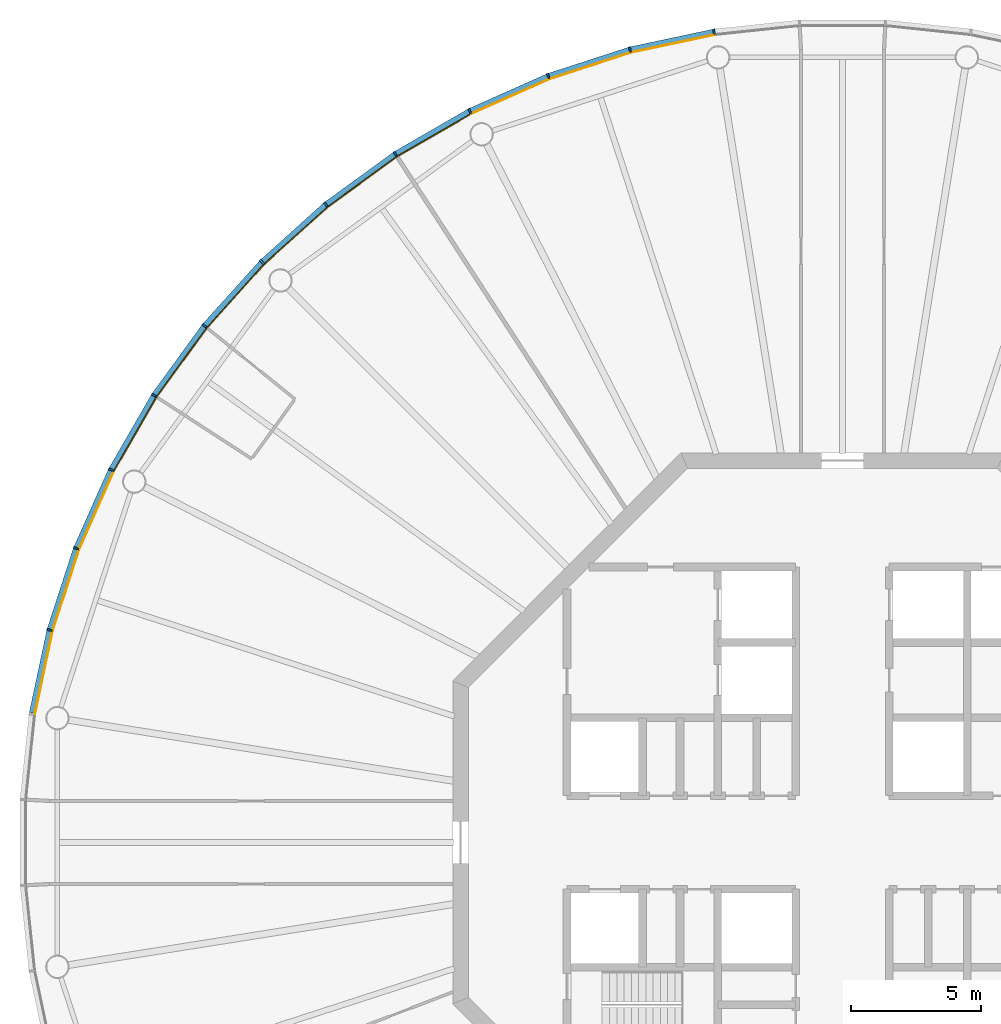
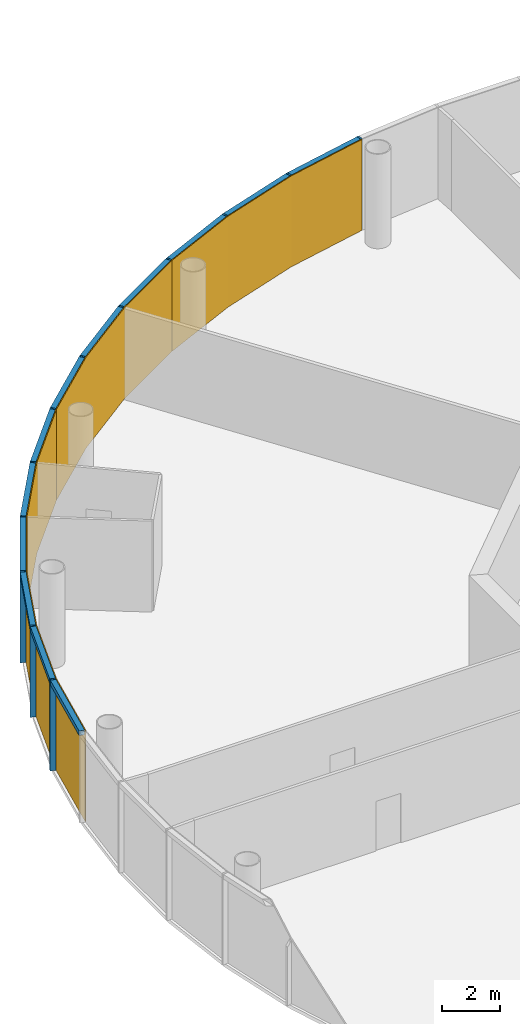
# One storey, part 10 of 13: 24 members, 4 curtain walls.
"""IFC4 building model written with IfcOpenShell, lengths in metres."""

import ifcopenshell
import ifcopenshell.guid

model = None  # the IFC model being written
_history = None  # IfcOwnerHistory: only IFC2X3 demands one
_inside = {}  # id of a spatial element -> (the spatial element, [elements in it])
_under = {}  # id of a project, library or spatial element -> (it, [spatial elements below it])
_declared = {}  # id of a project -> (the project, [libraries it declares])
_typed = {}  # id of a type object -> (the type object, [elements of that type])
_made_of = {}  # id of a material, layer set ... -> (it, [elements and type objects made of it])


def new_model(schema):
    """Start an empty IFC model of exactly this schema.

    Asked for "IFC4X3", IfcOpenShell would pick the latest addendum, in which some entities
    have other attributes; the version numbers below select the first issue.
    IFC2X3 requires an IfcOwnerHistory on every rooted entity: one is made here for all.
    """
    global model, _history
    if schema == "IFC4X3":
        model = ifcopenshell.file(schema_version=(4, 3, 0, 0))
    else:
        model = ifcopenshell.file(schema=schema)
    _inside.clear()
    _under.clear()
    _declared.clear()
    _typed.clear()
    _made_of.clear()
    _history = None
    if model.schema == "IFC2X3":
        org = make("IfcOrganization", Name="unknown")
        user = make(
            "IfcPersonAndOrganization",
            ThePerson=make("IfcPerson", FamilyName="unknown"),
            TheOrganization=org,
        )
        app = make(
            "IfcApplication",
            ApplicationDeveloper=org,
            Version="unknown",
            ApplicationFullName="unknown",
            ApplicationIdentifier="unknown",
        )
        _history = make(
            "IfcOwnerHistory",
            OwningUser=user,
            OwningApplication=app,
            ChangeAction="ADDED",
            CreationDate=0,
        )
    return model


def make(cls, **values):
    """One entity of the class cls with the attributes given. An attribute that is None is left unset."""
    return model.create_entity(
        cls, **{name: value for name, value in values.items() if value is not None}
    )


def rooted(cls, **values):
    """An entity with a GlobalId (a new one), such as an element, a storey or a relation."""
    return make(cls, GlobalId=ifcopenshell.guid.new(), OwnerHistory=_history, **values)


def si_unit(unit_type, name, prefix=None):
    """IfcSIUnit, for example si_unit("LENGTHUNIT", "METRE", prefix="MILLI")."""
    return make("IfcSIUnit", UnitType=unit_type, Prefix=prefix, Name=name)


def assignment(units):
    """IfcUnitAssignment: the units of a project."""
    return None if units is None else make("IfcUnitAssignment", Units=units)


def point(xyz):
    """IfcCartesianPoint."""
    return None if xyz is None else make("IfcCartesianPoint", Coordinates=xyz)


def direction(xyz):
    """IfcDirection."""
    return None if xyz is None else make("IfcDirection", DirectionRatios=xyz)


def frame(location, z_axis=None, x_axis=None):
    """IfcAxis2Placement3D, a coordinate frame: its origin and axes. An axis left out is left unset."""
    return make(
        "IfcAxis2Placement3D",
        Location=point(location),
        Axis=direction(z_axis),
        RefDirection=direction(x_axis),
    )


def frame_2d(location, x_axis=None):
    """IfcAxis2Placement2D, a coordinate frame in the plane: its origin and x axis."""
    return make(
        "IfcAxis2Placement2D", Location=point(location), RefDirection=direction(x_axis)
    )


def origin():
    """The frame at (0, 0, 0) with its axes left unset."""
    return frame((0.0, 0.0, 0.0))


def origin_2d():
    """The frame at (0, 0) in the plane with its x axis left unset."""
    return frame_2d((0.0, 0.0))


def place(relative_to, where):
    """IfcLocalPlacement: puts the frame where relative to a parent placement (None: the world)."""
    return make(
        "IfcLocalPlacement", PlacementRelTo=relative_to, RelativePlacement=where
    )


def context(
    kind, dimensions, precision=None, world=None, true_north=None, identifier=None
):
    """IfcGeometricRepresentationContext, for example the 3D "Model" context."""
    return make(
        "IfcGeometricRepresentationContext",
        ContextIdentifier=identifier,
        ContextType=kind,
        CoordinateSpaceDimension=dimensions,
        Precision=precision,
        WorldCoordinateSystem=world,
        TrueNorth=true_north,
    )


def subcontext(parent, identifier, kind, view, scale=None):
    """IfcGeometricRepresentationSubContext, for example "Body" below "Model"."""
    return make(
        "IfcGeometricRepresentationSubContext",
        ContextIdentifier=identifier,
        ContextType=kind,
        ParentContext=parent,
        TargetScale=scale,
        TargetView=view,
    )


def project(units=None, contexts=None):
    """IfcProject with its units and contexts."""
    return rooted(
        "IfcProject",
        Name="project",
        RepresentationContexts=contexts,
        UnitsInContext=assignment(units),
    )


def spatial(cls, under=None, at=None, **own):
    """A site, building, storey or space (cls), placed at a placement, below another one or the project."""
    s = rooted(cls, ObjectPlacement=at, **own)
    if under is not None:
        _under.setdefault(under.id(), (under, []))[1].append(s)
    return s


def polyline(points):
    """IfcPolyline through the points."""
    return make("IfcPolyline", Points=[point(p) for p in points])


def profile(cls, at=None, kind="AREA", **sizes):
    """A parametric profile (cls). Its sizes go by their IFC names, for example OverallWidth=200.0."""
    return make(cls, ProfileType=kind, Position=at, **sizes)


def rectangle(**sizes):
    """IfcRectangleProfileDef."""
    return profile("IfcRectangleProfileDef", **sizes)


def outline(outer, holes=None, kind="AREA"):
    """IfcArbitraryClosedProfileDef: a profile drawn as a closed curve; with holes, ...WithVoids."""
    if holes is None:
        return make("IfcArbitraryClosedProfileDef", ProfileType=kind, OuterCurve=outer)
    return make(
        "IfcArbitraryProfileDefWithVoids",
        ProfileType=kind,
        OuterCurve=outer,
        InnerCurves=holes,
    )


def extrude(swept, where, along, depth):
    """IfcExtrudedAreaSolid: the profile swept, set in the frame where, extruded along a direction by depth."""
    return make(
        "IfcExtrudedAreaSolid",
        SweptArea=swept,
        Position=where,
        ExtrudedDirection=direction(along),
        Depth=depth,
    )


def shape(context_of_items, identifier, shape_type, items):
    """IfcShapeRepresentation: the items that make up one representation, for example the "Body"."""
    return make(
        "IfcShapeRepresentation",
        ContextOfItems=context_of_items,
        RepresentationIdentifier=identifier,
        RepresentationType=shape_type,
        Items=items,
    )


def material(Name=None, Category=None):
    """IfcMaterial."""
    return make("IfcMaterial", Name=Name, Category=Category)


def layer(
    of_material, thickness, ventilated=None, Name=None, Category=None, Priority=None
):
    """IfcMaterialLayer: one layer of a wall or slab, of a material (None: an air gap)."""
    return make(
        "IfcMaterialLayer",
        Material=of_material,
        LayerThickness=thickness,
        IsVentilated=ventilated,
        Name=Name,
        Category=Category,
        Priority=Priority,
    )


def layer_set(layers, Name=None):
    """IfcMaterialLayerSet."""
    return make("IfcMaterialLayerSet", MaterialLayers=layers, LayerSetName=Name)


def material_profile(
    of_material, cross_section, Name=None, Category=None, Priority=None
):
    """IfcMaterialProfile: a cross section and its material."""
    return make(
        "IfcMaterialProfile",
        Name=Name,
        Material=of_material,
        Profile=cross_section,
        Priority=Priority,
        Category=Category,
    )


def profile_set(profiles, Name=None, composite=None):
    """IfcMaterialProfileSet."""
    return make(
        "IfcMaterialProfileSet",
        Name=Name,
        MaterialProfiles=profiles,
        CompositeProfile=composite,
    )


def made_of(thing, what):
    """Note that an element or type object is made of a material, layer set ...; save() writes the relation."""
    if what is not None:
        _made_of.setdefault(what.id(), (what, []))[1].append(thing)
    return thing


def type_object(cls, material=None, **own):
    """A type object (cls), such as IfcWallType, which elements share."""
    return made_of(rooted(cls, **own), material)


def element(
    cls,
    number,
    at=None,
    inside=None,
    cuts=None,
    type_object=None,
    material=None,
    context=None,
    identifier="Body",
    shape_type=None,
    held_by="IfcProductDefinitionShape",
    body=None,
    shapes=None,
    **own,
):
    """One element of the class cls, such as IfcWall. Its Tag is "e" and its number.

    at: its placement. inside: the storey or other place that contains it. cuts: it is an
    opening in that element (IfcRelVoidsElement). A single representation is given by context,
    identifier, shape_type and body (its items); several are given by shapes. held_by: the class
    of the entity that holds the representations. save() writes the other relations.
    """
    e = rooted(cls, Tag="e%d" % number, ObjectPlacement=at, **own)
    if body is not None:
        shapes = [shape(context, identifier, shape_type, body)]
    if shapes is not None:
        e.Representation = make(held_by, Representations=shapes)
    if inside is not None:
        _inside.setdefault(inside.id(), (inside, []))[1].append(e)
    if cuts is not None:
        rooted(
            "IfcRelVoidsElement", RelatingBuildingElement=cuts, RelatedOpeningElement=e
        )
    if type_object is not None:
        _typed.setdefault(type_object.id(), (type_object, []))[1].append(e)
    return made_of(e, material)


def aggregate(whole, parts):
    """IfcRelAggregates: a whole, such as a stair, and the parts it consists of."""
    return rooted("IfcRelAggregates", RelatingObject=whole, RelatedObjects=parts)


def save(model, path):
    """Write the relations noted so far, then the file.

    IfcRelAggregates (storeys below a building ...), IfcRelContainedInSpatialStructure (elements
    in a storey), IfcRelDefinesByType, IfcRelAssociatesMaterial and IfcRelDeclares: one each for
    every whole, place, type object, material and project.
    """
    for whole, parts in _under.values():
        aggregate(whole, parts)
    for where, things in _inside.values():
        rooted(
            "IfcRelContainedInSpatialStructure",
            RelatedElements=things,
            RelatingStructure=where,
        )
    for kind, things in _typed.values():
        rooted("IfcRelDefinesByType", RelatedObjects=things, RelatingType=kind)
    for what, things in _made_of.values():
        rooted("IfcRelAssociatesMaterial", RelatedObjects=things, RelatingMaterial=what)
    for by, libraries in _declared.values():
        rooted("IfcRelDeclares", RelatingContext=by, RelatedDefinitions=libraries)
    model.write(path)


model = new_model("IFC4")

# Units and contexts
model_context = context("Model", 3, precision=1e-05, world=origin(), true_north=direction((0.0, 1.0)))
body_context = subcontext(model_context, "Body", "Model", "MODEL_VIEW")
ifc_project = project(units=[si_unit("LENGTHUNIT", "METRE"), si_unit("AREAUNIT", "SQUARE_METRE"), si_unit("VOLUMEUNIT", "CUBIC_METRE"), si_unit("PLANEANGLEUNIT", "RADIAN"), si_unit("MASSUNIT", "GRAM", prefix="KILO")], contexts=[model_context])

# Member
ifc_material_1 = material(Name="Anodised aluminium", Category="aluminium")
ifc_material_profile_1 = material_profile(ifc_material_1, rectangle(XDim=0.070068359375, YDim=0.205078125, at=origin_2d()), Name="Mullion 70 x 205 mm anodised aluminium")
ifc_profile_set_1 = profile_set([ifc_material_profile_1], Name="Anodised aluminium")
member_type_1 = type_object("IfcMemberType", Name="Mullion 70 x 205 mm anodised aluminium", PredefinedType="MULLION", material=ifc_profile_set_1)
site_placement = place(None, origin())
building_placement = place(site_placement, origin())
storey_placement = place(building_placement, frame((0.0, 0.0, 360.0)))
member_1_placement = place(storey_placement, frame((85.056396484375, 111.21337890625, 0.0), z_axis=(0.0, 0.0, 1.0), x_axis=(-0.987688340595, -0.15643446504, 0.0)))
member_1 = element("IfcMember", 1, at=member_1_placement, type_object=member_type_1, Name="MULLION L83-15", PredefinedType="MULLION", context=body_context, shape_type="SweptSolid", body=[
    extrude(rectangle(XDim=0.070068359375, YDim=0.205078125, at=origin_2d()), origin(), (0.0, 0.0, 1.0), 3.85009765625),
])

member_2_placement = place(storey_placement, frame((81.820556640625, 110.525634765625, 0.0), z_axis=(0.0, 0.0, 1.0), x_axis=(-0.965925826289, -0.258819045103, 0.0)))
member_2 = element("IfcMember", 2, at=member_2_placement, type_object=member_type_1, Name="MULLION L83-16", PredefinedType="MULLION", context=body_context, shape_type="SweptSolid", body=[
    extrude(rectangle(XDim=0.070068359375, YDim=0.205078125, at=origin_2d()), origin(), (0.0, 0.0, 1.0), 3.85009765625),
])

member_3_placement = place(storey_placement, frame((78.674560546875, 109.50341796875, 0.0), z_axis=(0.0, 0.0, 1.0), x_axis=(-0.933580426497, -0.358367949545, 0.0)))
member_3 = element("IfcMember", 3, at=member_3_placement, type_object=member_type_1, Name="MULLION L83-17", PredefinedType="MULLION", context=body_context, shape_type="SweptSolid", body=[
    extrude(rectangle(XDim=0.070068359375, YDim=0.205078125, at=origin_2d()), origin(), (0.0, 0.0, 1.0), 3.85009765625),
])

member_4_placement = place(storey_placement, frame((75.65283203125, 108.157958984375, 0.0), z_axis=(0.0, 0.0, 1.0), x_axis=(-0.891006524188, -0.45399049974, 0.0)))
member_4 = element("IfcMember", 4, at=member_4_placement, type_object=member_type_1, Name="MULLION L83-18", PredefinedType="MULLION", context=body_context, shape_type="SweptSolid", body=[
    extrude(rectangle(XDim=0.070068359375, YDim=0.205078125, at=origin_2d()), origin(), (0.0, 0.0, 1.0), 3.85009765625),
])

member_5_placement = place(storey_placement, frame((72.7880859375, 106.504150390625, 0.0), z_axis=(0.0, 0.0, 1.0), x_axis=(-0.838670567945, -0.544639035015, 0.0)))
member_5 = element("IfcMember", 5, at=member_5_placement, type_object=member_type_1, Name="MULLION L83-19", PredefinedType="MULLION", context=body_context, shape_type="SweptSolid", body=[
    extrude(rectangle(XDim=0.070068359375, YDim=0.205078125, at=origin_2d()), origin(), (0.0, 0.0, 1.0), 3.85009765625),
])

member_6_placement = place(storey_placement, frame((70.11181640625, 104.559814453125, 0.0), z_axis=(0.0, 0.0, 1.0), x_axis=(-0.777145961457, -0.62932039105, 0.0)))
member_6 = element("IfcMember", 6, at=member_6_placement, type_object=member_type_1, Name="MULLION L83-20", PredefinedType="MULLION", context=body_context, shape_type="SweptSolid", body=[
    extrude(rectangle(XDim=0.070068359375, YDim=0.205078125, at=origin_2d()), origin(), (0.0, 0.0, 1.0), 3.85009765625),
])

member_7_placement = place(storey_placement, frame((67.653564453125, 102.346435546875, 0.0), z_axis=(0.0, 0.0, 1.0), x_axis=(-0.707106781187, -0.707106781187, 0.0)))
member_7 = element("IfcMember", 7, at=member_7_placement, type_object=member_type_1, Name="MULLION L83-21", PredefinedType="MULLION", context=body_context, shape_type="SweptSolid", body=[
    extrude(rectangle(XDim=0.070068359375, YDim=0.205078125, at=origin_2d()), origin(), (0.0, 0.0, 1.0), 3.85009765625),
])

member_8_placement = place(storey_placement, frame((65.440185546875, 99.88818359375, 0.0), z_axis=(0.0, 0.0, 1.0), x_axis=(-0.62932039105, -0.777145961457, 0.0)))
member_8 = element("IfcMember", 8, at=member_8_placement, type_object=member_type_1, Name="MULLION L83-22", PredefinedType="MULLION", context=body_context, shape_type="SweptSolid", body=[
    extrude(rectangle(XDim=0.070068359375, YDim=0.205078125, at=origin_2d()), origin(), (0.0, 0.0, 1.0), 3.85009765625),
])

member_9_placement = place(storey_placement, frame((63.495849609375, 97.2119140625, 0.0), z_axis=(0.0, 0.0, 1.0), x_axis=(-0.544639035015, -0.838670567945, 0.0)))
member_9 = element("IfcMember", 9, at=member_9_placement, type_object=member_type_1, Name="MULLION L83-23", PredefinedType="MULLION", context=body_context, shape_type="SweptSolid", body=[
    extrude(rectangle(XDim=0.070068359375, YDim=0.205078125, at=origin_2d()), origin(), (0.0, 0.0, 1.0), 3.85009765625),
])

member_10_placement = place(storey_placement, frame((61.842041015625, 94.34716796875, 0.0), z_axis=(0.0, 0.0, 1.0), x_axis=(-0.45399049974, -0.891006524188, 0.0)))
member_10 = element("IfcMember", 10, at=member_10_placement, type_object=member_type_1, Name="MULLION L83-24", PredefinedType="MULLION", context=body_context, shape_type="SweptSolid", body=[
    extrude(rectangle(XDim=0.070068359375, YDim=0.205078125, at=origin_2d()), origin(), (0.0, 0.0, 1.0), 3.85009765625),
])

member_11_placement = place(storey_placement, frame((60.49658203125, 91.325439453125, 0.0), z_axis=(0.0, 0.0, 1.0), x_axis=(-0.358367949545, -0.933580426497, 0.0)))
member_11 = element("IfcMember", 11, at=member_11_placement, type_object=member_type_1, Name="MULLION L83-25", PredefinedType="MULLION", context=body_context, shape_type="SweptSolid", body=[
    extrude(rectangle(XDim=0.070068359375, YDim=0.205078125, at=origin_2d()), origin(), (0.0, 0.0, 1.0), 3.85009765625),
])

member_12_placement = place(storey_placement, frame((59.474365234375, 88.179443359375, 0.0), z_axis=(0.0, 0.0, 1.0), x_axis=(-0.258819045103, -0.965925826289, 0.0)))
member_12 = element("IfcMember", 12, at=member_12_placement, type_object=member_type_1, Name="MULLION L83-26", PredefinedType="MULLION", context=body_context, shape_type="SweptSolid", body=[
    extrude(rectangle(XDim=0.070068359375, YDim=0.205078125, at=origin_2d()), origin(), (0.0, 0.0, 1.0), 3.85009765625),
])

ifc_material_2 = material(Name="Anodised aluminium", Category="aluminium")
ifc_material_profile_2 = material_profile(ifc_material_2, rectangle(XDim=0.205078125, YDim=0.195068359375, at=origin_2d()), Name="Transom 195 x 205 mm anodised aluminium")
ifc_profile_set_2 = profile_set([ifc_material_profile_2], Name="Anodised aluminium")
member_type_2 = type_object("IfcMemberType", Name="Transom 195 x 205 mm anodised aluminium", PredefinedType="USERDEFINED", material=ifc_profile_set_2)
member_13_placement = place(storey_placement, frame((85.016845703125, 111.205078125, 3.75244140625), z_axis=(-0.978153082647, -0.207885898771, 0.0), x_axis=(0.207885898771, -0.978153082647, 0.0)))
member_13 = element("IfcMember", 13, at=member_13_placement, type_object=member_type_2, Name="TRANSOM L83-15", ObjectType="TRANSOM", PredefinedType="USERDEFINED", context=body_context, shape_type="SweptSolid", body=[
    extrude(rectangle(XDim=0.205078125, YDim=0.195068359375, at=origin_2d()), origin(), (0.0, 0.0, 1.0), 3.227294921875),
])

member_14_placement = place(storey_placement, frame((81.7822265625, 110.513427734375, 3.75244140625), z_axis=(-0.951046855117, -0.309046726844, 0.0), x_axis=(0.309046726844, -0.951046855117, 0.0)))
member_14 = element("IfcMember", 14, at=member_14_placement, type_object=member_type_2, Name="TRANSOM L83-16", ObjectType="TRANSOM", PredefinedType="USERDEFINED", context=body_context, shape_type="SweptSolid", body=[
    extrude(rectangle(XDim=0.205078125, YDim=0.195068359375, at=origin_2d()), origin(), (0.0, 0.0, 1.0), 3.22705078125),
])

member_15_placement = place(storey_placement, frame((78.6376953125, 109.4873046875, 3.75244140625), z_axis=(-0.913521178731, -0.406791170024, 0.0), x_axis=(0.406791170024, -0.913521178731, 0.0)))
member_15 = element("IfcMember", 15, at=member_15_placement, type_object=member_type_2, Name="TRANSOM L83-17", ObjectType="TRANSOM", PredefinedType="USERDEFINED", context=body_context, shape_type="SweptSolid", body=[
    extrude(rectangle(XDim=0.205078125, YDim=0.195068359375, at=origin_2d()), origin(), (0.0, 0.0, 1.0), 3.22705078125),
])

member_16_placement = place(storey_placement, frame((75.61767578125, 108.137939453125, 3.75244140625), z_axis=(-0.866023062494, -0.500004055213, 0.0), x_axis=(0.500004055213, -0.866023062494, 0.0)))
member_16 = element("IfcMember", 16, at=member_16_placement, type_object=member_type_2, Name="TRANSOM L83-18", ObjectType="TRANSOM", PredefinedType="USERDEFINED", context=body_context, shape_type="SweptSolid", body=[
    extrude(rectangle(XDim=0.205078125, YDim=0.195068359375, at=origin_2d()), origin(), (0.0, 0.0, 1.0), 3.22705078125),
])

member_17_placement = place(storey_placement, frame((72.75537109375, 106.48046875, 3.75244140625), z_axis=(-0.809004252048, -0.587802790201, 0.0), x_axis=(0.587802790201, -0.809004252048, 0.0)))
member_17 = element("IfcMember", 17, at=member_17_placement, type_object=member_type_2, Name="TRANSOM L83-19", ObjectType="TRANSOM", PredefinedType="USERDEFINED", context=body_context, shape_type="SweptSolid", body=[
    extrude(rectangle(XDim=0.205078125, YDim=0.195068359375, at=origin_2d()), origin(), (0.0, 0.0, 1.0), 3.227294921875),
])

member_18_placement = place(storey_placement, frame((70.081787109375, 104.532958984375, 3.75244140625), z_axis=(-0.743132370743, -0.669144438484, 0.0), x_axis=(0.669144438484, -0.743132370743, 0.0)))
member_18 = element("IfcMember", 18, at=member_18_placement, type_object=member_type_2, Name="TRANSOM L83-20", ObjectType="TRANSOM", PredefinedType="USERDEFINED", context=body_context, shape_type="SweptSolid", body=[
    extrude(rectangle(XDim=0.205078125, YDim=0.195068359375, at=origin_2d()), origin(), (0.0, 0.0, 1.0), 3.22705078125),
])

member_19_placement = place(storey_placement, frame((67.62646484375, 102.31640625, 3.75244140625), z_axis=(-0.669144438484, -0.743132370743, 0.0), x_axis=(0.743132370743, -0.669144438484, 0.0)))
member_19 = element("IfcMember", 19, at=member_19_placement, type_object=member_type_2, Name="TRANSOM L83-21", ObjectType="TRANSOM", PredefinedType="USERDEFINED", context=body_context, shape_type="SweptSolid", body=[
    extrude(rectangle(XDim=0.205078125, YDim=0.195068359375, at=origin_2d()), origin(), (0.0, 0.0, 1.0), 3.22705078125),
])

member_20_placement = place(storey_placement, frame((65.41650390625, 99.85546875, 3.75244140625), z_axis=(-0.587802790201, -0.809004252048, 0.0), x_axis=(0.809004252048, -0.587802790201, 0.0)))
member_20 = element("IfcMember", 20, at=member_20_placement, type_object=member_type_2, Name="TRANSOM L83-22", ObjectType="TRANSOM", PredefinedType="USERDEFINED", context=body_context, shape_type="SweptSolid", body=[
    extrude(rectangle(XDim=0.205078125, YDim=0.195068359375, at=origin_2d()), origin(), (0.0, 0.0, 1.0), 3.227294921875),
])

member_21_placement = place(storey_placement, frame((63.4755859375, 97.177001953125, 3.75244140625), z_axis=(-0.500004055213, -0.866023062494, 0.0), x_axis=(0.866023062494, -0.500004055213, 0.0)))
member_21 = element("IfcMember", 21, at=member_21_placement, type_object=member_type_2, Name="TRANSOM L83-23", ObjectType="TRANSOM", PredefinedType="USERDEFINED", context=body_context, shape_type="SweptSolid", body=[
    extrude(rectangle(XDim=0.205078125, YDim=0.195068359375, at=origin_2d()), origin(), (0.0, 0.0, 1.0), 3.22705078125),
])

member_22_placement = place(storey_placement, frame((61.825439453125, 94.310302734375, 3.75244140625), z_axis=(-0.406791170024, -0.913521178731, 0.0), x_axis=(0.913521178731, -0.406791170024, 0.0)))
member_22 = element("IfcMember", 22, at=member_22_placement, type_object=member_type_2, Name="TRANSOM L83-24", ObjectType="TRANSOM", PredefinedType="USERDEFINED", context=body_context, shape_type="SweptSolid", body=[
    extrude(rectangle(XDim=0.205078125, YDim=0.195068359375, at=origin_2d()), origin(), (0.0, 0.0, 1.0), 3.22705078125),
])

member_23_placement = place(storey_placement, frame((60.48388671875, 91.286865234375, 3.75244140625), z_axis=(-0.309046726844, -0.951046855117, 0.0), x_axis=(0.951046855117, -0.309046726844, 0.0)))
member_23 = element("IfcMember", 23, at=member_23_placement, type_object=member_type_2, Name="TRANSOM L83-25", ObjectType="TRANSOM", PredefinedType="USERDEFINED", context=body_context, shape_type="SweptSolid", body=[
    extrude(rectangle(XDim=0.205078125, YDim=0.195068359375, at=origin_2d()), origin(), (0.0, 0.0, 1.0), 3.22705078125),
])

member_24_placement = place(storey_placement, frame((59.4658203125, 88.139892578125, 3.75244140625), z_axis=(-0.207885898771, -0.978153082647, 0.0), x_axis=(0.978153082647, -0.207885898771, 0.0)))
member_24 = element("IfcMember", 24, at=member_24_placement, type_object=member_type_2, Name="TRANSOM L83-26", ObjectType="TRANSOM", PredefinedType="USERDEFINED", context=body_context, shape_type="SweptSolid", body=[
    extrude(rectangle(XDim=0.205078125, YDim=0.195068359375, at=origin_2d()), origin(), (0.0, 0.0, 1.0), 3.227294921875),
])

# Site, building, storey
site = spatial("IfcSite", under=ifc_project, at=site_placement, CompositionType="ELEMENT")
building = spatial("IfcBuilding", under=site, at=building_placement, Name="Entoto Ring Tower", CompositionType="ELEMENT")
storey = spatial("IfcBuildingStorey", under=building, at=storey_placement, Name="L83", CompositionType="ELEMENT", Elevation=360.0)

# Curtain wall
ifc_material_3 = material(Name="Clear low-iron glass", Category="glass")
ifc_layer = layer(ifc_material_3, 0.035888671875)
ifc_layer_set = layer_set([ifc_layer], Name="Clear low-iron glass")
curtain_wall_type = type_object("IfcCurtainWallType", Name="Curtain wall system CW6 glazing 36 mm", PredefinedType="NOTDEFINED", material=ifc_layer_set)
curtain_wall_1_placement = place(storey_placement, origin())
curtain_wall_1 = element("IfcCurtainWall", 25, at=curtain_wall_1_placement, inside=storey, type_object=curtain_wall_type, Name="CW6 L83-06", PredefinedType="NOTDEFINED", context=body_context, shape_type="SweptSolid", body=[
    extrude(outline(polyline([(85.072265625, 111.1123046875), (81.84716796875, 110.4267578125), (78.71142578125, 109.40771484375), (75.69921875, 108.066650390625), (75.715576171875, 108.03466796875), (78.724365234375, 109.3740234375), (81.8564453125, 110.391845703125), (85.077880859375, 111.07666015625), (85.072265625, 111.1123046875)])), origin(), (0.0, 0.0, 1.0), 3.85009765625),
])

aggregate(curtain_wall_1, [member_1, member_2, member_3, member_13, member_14, member_15])

curtain_wall_2_placement = place(storey_placement, origin())
curtain_wall_2 = element("IfcCurtainWall", 26, at=curtain_wall_2_placement, inside=storey, type_object=curtain_wall_type, Name="CW6 L83-07", PredefinedType="NOTDEFINED", context=body_context, shape_type="SweptSolid", body=[
    extrude(outline(polyline([(75.69921875, 108.066650390625), (72.84375, 106.418212890625), (70.176513671875, 104.47998046875), (67.72607421875, 102.27392578125), (67.751708984375, 102.248291015625), (70.198974609375, 104.4521484375), (72.863525390625, 106.387939453125), (75.715576171875, 108.03466796875), (75.69921875, 108.066650390625)])), origin(), (0.0, 0.0, 1.0), 3.85009765625),
])

aggregate(curtain_wall_2, [member_4, member_5, member_6, member_16, member_17, member_18])

curtain_wall_3_placement = place(storey_placement, origin())
curtain_wall_3 = element("IfcCurtainWall", 27, at=curtain_wall_3_placement, inside=storey, type_object=curtain_wall_type, Name="CW6 L83-08", PredefinedType="NOTDEFINED", context=body_context, shape_type="SweptSolid", body=[
    extrude(outline(polyline([(67.72607421875, 102.27392578125), (65.52001953125, 99.823486328125), (63.581787109375, 97.15625), (61.933349609375, 94.30078125), (61.96533203125, 94.284423828125), (63.612060546875, 97.136474609375), (65.5478515625, 99.801025390625), (67.751708984375, 102.248291015625), (67.72607421875, 102.27392578125)])), origin(), (0.0, 0.0, 1.0), 3.85009765625),
])

aggregate(curtain_wall_3, [member_7, member_8, member_9, member_19, member_20, member_21])

curtain_wall_4_placement = place(storey_placement, origin())
curtain_wall_4 = element("IfcCurtainWall", 28, at=curtain_wall_4_placement, inside=storey, type_object=curtain_wall_type, Name="CW6 L83-09", PredefinedType="NOTDEFINED", context=body_context, shape_type="SweptSolid", body=[
    extrude(outline(polyline([(61.933349609375, 94.30078125), (60.59228515625, 91.28857421875), (59.5732421875, 88.15283203125), (58.8876953125, 84.927734375), (58.92333984375, 84.922119140625), (59.608154296875, 88.1435546875), (60.6259765625, 91.275634765625), (61.96533203125, 94.284423828125), (61.933349609375, 94.30078125)])), origin(), (0.0, 0.0, 1.0), 3.85009765625),
])

aggregate(curtain_wall_4, [member_10, member_11, member_12, member_22, member_23, member_24])

save(model, "model.ifc")
